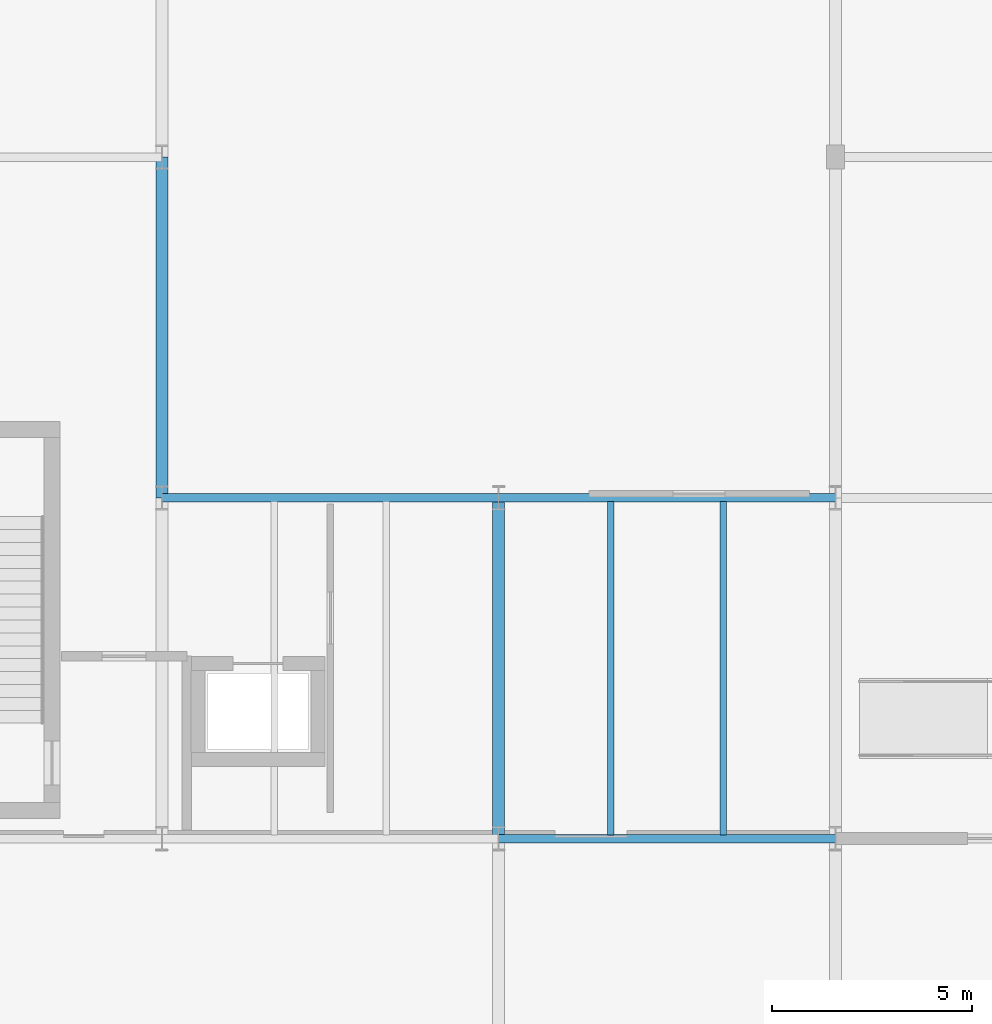
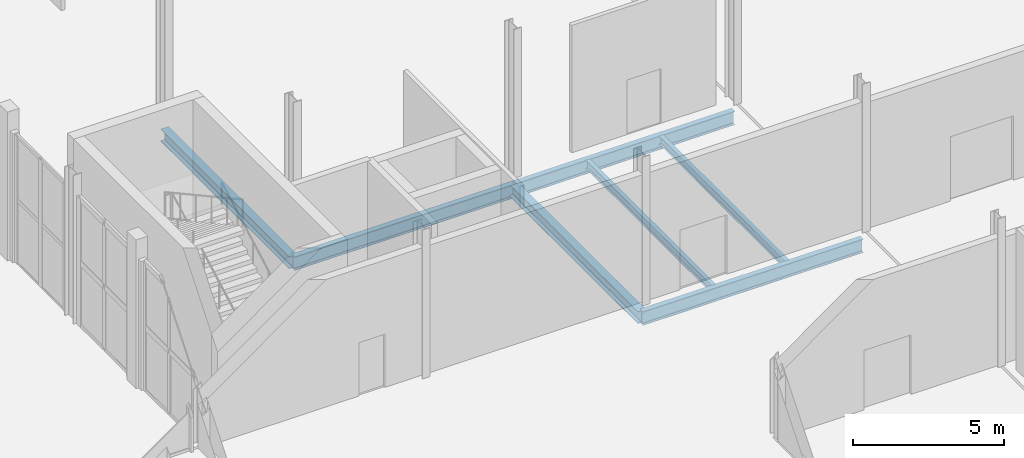
# One storey, part 28 of 84: 7 beams.
"""IFC4 building model written with IfcOpenShell, lengths in metres."""

from ifc_helpers import new_model, si_unit, direction, frame, origin, origin_2d, place, context, subcontext, project, spatial, i_section, extrude, material, material_profile, profile_set, type_object, element, save


model = new_model("IFC4")

# Units and contexts
model_context = context("Model", 3, precision=1e-05, world=origin(), true_north=direction((0.0, 1.0)))
body_context = subcontext(model_context, "Body", "Model", "MODEL_VIEW")
ifc_project = project(units=[si_unit("LENGTHUNIT", "METRE"), si_unit("AREAUNIT", "SQUARE_METRE"), si_unit("VOLUMEUNIT", "CUBIC_METRE"), si_unit("PLANEANGLEUNIT", "RADIAN"), si_unit("MASSUNIT", "GRAM", prefix="KILO")], contexts=[model_context])

# Site, building, storey
site_placement = place(None, origin())
site = spatial("IfcSite", under=ifc_project, at=site_placement, CompositionType="ELEMENT")
building_placement = place(site_placement, origin())
building = spatial("IfcBuilding", under=site, at=building_placement, Name="Sefraquen Railside Congress Hotel", CompositionType="ELEMENT")
storey_placement = place(building_placement, origin())
storey = spatial("IfcBuildingStorey", under=building, at=storey_placement, Name="L00", CompositionType="ELEMENT", Elevation=0.0)

# Beams
ifc_material = material(Name="Steel S355JR", Category="steel")
ifc_material_profile_1 = material_profile(ifc_material, i_section(OverallWidth=0.300048828125, OverallDepth=0.489990234375, WebThickness=0.011962890625, FlangeThickness=0.02294921875, FilletRadius=0.027099609375, at=origin_2d()), Name="HEA 500")
ifc_profile_set_1 = profile_set([ifc_material_profile_1], Name="Steel S355JR")
beam_type_1 = type_object("IfcBeamType", Name="TB-GIR-500", PredefinedType="T_BEAM", material=ifc_profile_set_1)
for number, where, z_axis, x_axis, name in (
    (1, (111.60009765625, 62.5, -0.64501953125), (0.0, 1.0, 0.0), (-1.0, 0.0, 0.0), "Floor beam BM-L00-0286"),
    (2, (120.0, 54.0, -0.64501953125), (0.0, 1.0, 0.0), (-1.0, 0.0, 0.0), "Floor beam BM-L00-0298"),
):
    element("IfcBeam", number, at=place(storey_placement, frame(where, z_axis=z_axis, x_axis=x_axis)), inside=storey, type_object=beam_type_1, Name=name, PredefinedType="T_BEAM", context=body_context, shape_type="SweptSolid", body=[
        extrude(i_section(OverallWidth=0.300048828125, OverallDepth=0.489990234375, WebThickness=0.011962890625, FlangeThickness=0.02294921875, FilletRadius=0.027099609375, at=origin_2d()), origin(), (0.0, 0.0, 1.0), 8.5),
    ])
ifc_material_profile_2 = material_profile(ifc_material, i_section(OverallWidth=0.2099609375, OverallDepth=0.550048828125, WebThickness=0.010986328125, FlangeThickness=0.01708984375, FilletRadius=0.02392578125, at=origin_2d()), Name="IPE 550")
ifc_profile_set_2 = profile_set([ifc_material_profile_2], Name="Steel S355JR")
beam_type_2 = type_object("IfcBeamType", Name="TB-GIR-550", PredefinedType="T_BEAM", material=ifc_profile_set_2)
for number, where, z_axis, x_axis, name in (
    (3, (120.0, 54.0, -0.675048828125), (1.0, 0.0, 0.0), (0.0, 1.0, 0.0), "Primary girder BM-L00-0066"),
    (4, (111.60009765625, 62.5, -0.675048828125), (1.0, 0.0, 0.0), (0.0, 1.0, 0.0), "Primary girder BM-L00-0078"),
    (5, (120.0, 62.5, -0.675048828125), (1.0, 0.0, 0.0), (0.0, 1.0, 0.0), "Primary girder BM-L00-0079"),
):
    element("IfcBeam", number, at=place(storey_placement, frame(where, z_axis=z_axis, x_axis=x_axis)), inside=storey, type_object=beam_type_2, Name=name, PredefinedType="T_BEAM", context=body_context, shape_type="SweptSolid", body=[
        extrude(i_section(OverallWidth=0.2099609375, OverallDepth=0.550048828125, WebThickness=0.010986328125, FlangeThickness=0.01708984375, FilletRadius=0.02392578125, at=origin_2d()), origin(), (0.0, 0.0, 1.0), 8.39990234375),
    ])
ifc_material_profile_3 = material_profile(ifc_material, i_section(OverallWidth=0.159912109375, OverallDepth=0.330078125, WebThickness=0.007568359375, FlangeThickness=0.011474609375, FilletRadius=0.01806640625, at=origin_2d()), Name="IPE 330")
ifc_profile_set_3 = profile_set([ifc_material_profile_3], Name="Steel S355JR")
beam_type_3 = type_object("IfcBeamType", Name="TB-JST-330", PredefinedType="JOIST", material=ifc_profile_set_3)
for number, where, z_axis, x_axis, name in (
    (6, (122.800048828125, 54.0849609375, -0.56494140625), (0.0, 1.0, 0.0), (-1.0, 0.0, 0.0), "Composite floor joist BM-L00-J0184"),
    (7, (125.60009765625, 54.0849609375, -0.56494140625), (0.0, 1.0, 0.0), (-1.0, 0.0, 0.0), "Composite floor joist BM-L00-J0185"),
):
    element("IfcBeam", number, at=place(storey_placement, frame(where, z_axis=z_axis, x_axis=x_axis)), inside=storey, type_object=beam_type_3, Name=name, PredefinedType="JOIST", context=body_context, shape_type="SweptSolid", body=[
        extrude(i_section(OverallWidth=0.159912109375, OverallDepth=0.330078125, WebThickness=0.007568359375, FlangeThickness=0.011474609375, FilletRadius=0.01806640625, at=origin_2d()), origin(), (0.0, 0.0, 1.0), 8.330078125),
    ])

save(model, "model.ifc")
